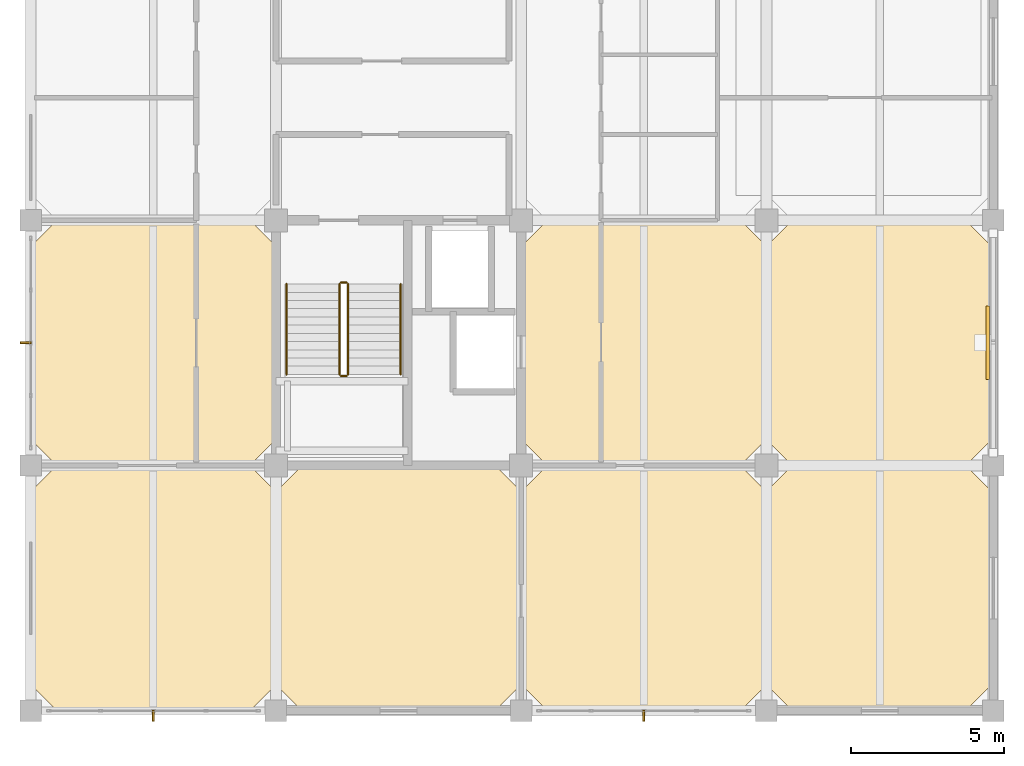
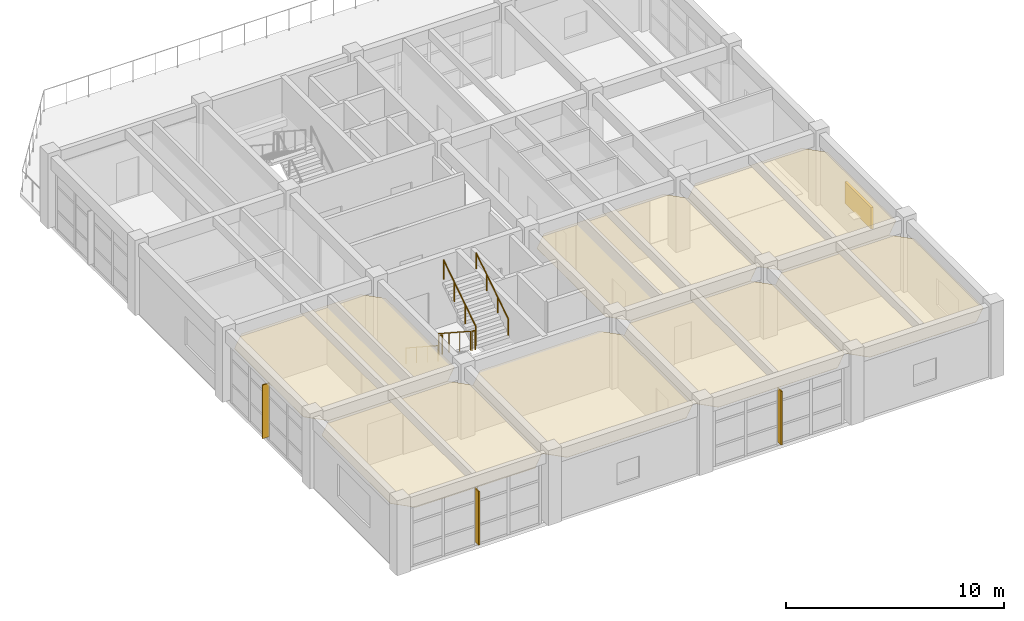
# One storey, part 17 of 19: 7 coverings, 6 railings, 4 shading devices.
"""IFC4 building model written with IfcOpenShell, lengths in metres."""

from ifc_helpers import new_model, si_unit, direction, frame, origin, origin_2d, place, context, subcontext, project, spatial, polyline, rectangle, circle, outline, extrude, material, layer, layer_set, type_object, element, save


model = new_model("IFC4")

# Units and contexts
model_context = context("Model", 3, precision=1e-05, world=origin(), true_north=direction((0.0, 1.0)))
body_context = subcontext(model_context, "Body", "Model", "MODEL_VIEW")
ifc_project = project(units=[si_unit("LENGTHUNIT", "METRE"), si_unit("AREAUNIT", "SQUARE_METRE"), si_unit("VOLUMEUNIT", "CUBIC_METRE"), si_unit("PLANEANGLEUNIT", "RADIAN"), si_unit("MASSUNIT", "GRAM", prefix="KILO")], contexts=[model_context])

# Site, building, storey
site_placement = place(None, origin())
site = spatial("IfcSite", under=ifc_project, at=site_placement, CompositionType="ELEMENT")
building_placement = place(site_placement, origin())
building = spatial("IfcBuilding", under=site, at=building_placement, Name="Canggui Botanical Conservatory", CompositionType="ELEMENT")
storey_placement = place(building_placement, frame((0.0, 0.0, 48.60009765625)))
storey = spatial("IfcBuildingStorey", under=building, at=storey_placement, Name="L12", CompositionType="ELEMENT", Elevation=48.60009765625)

# Coverings
ifc_material_1 = material(Name="Mineral Fibre Acoustic Board")
ifc_layer_1 = layer(ifc_material_1, 0.014892578125, Name="Mineral Fibre Acoustic Board")
ifc_layer_set_1 = layer_set([ifc_layer_1], Name="Mineral Fibre Acoustic Board")
covering_type_1 = type_object("IfcCoveringType", Name="COV-CEIL-15", PredefinedType="CEILING", material=ifc_layer_set_1)
covering_1_placement = place(storey_placement, frame((0.0, 0.0, 3.19482421875)))
element("IfcCovering", 1, at=covering_1_placement, inside=storey, type_object=covering_type_1, Name="Suspended Acoustic Ceiling L12-146-34", PredefinedType="CEILING", context=body_context, shape_type="SweptSolid", body=[
    extrude(outline(polyline([(146.85009765625, 34.0), (153.14990234375, 34.0), (154.0, 34.85009765625), (154.0, 41.14990234375), (153.14990234375, 42.0), (146.85009765625, 42.0), (146.0, 41.14990234375), (146.0, 34.85009765625), (146.85009765625, 34.0)])), origin(), (0.0, 0.0, 1.0), 0.01513671875),
])
covering_2_placement = place(storey_placement, frame((0.0, 0.0, 3.19482421875)))
element("IfcCovering", 2, at=covering_2_placement, inside=storey, type_object=covering_type_1, Name="Suspended Acoustic Ceiling L12-162-34", PredefinedType="CEILING", context=body_context, shape_type="SweptSolid", body=[
    extrude(outline(polyline([(162.85009765625, 34.0), (169.14990234375, 34.0), (170.0, 34.85009765625), (170.0, 41.14990234375), (169.14990234375, 42.0), (162.85009765625, 42.0), (162.0, 41.14990234375), (162.0, 34.85009765625), (162.85009765625, 34.0)])), origin(), (0.0, 0.0, 1.0), 0.01513671875),
])
covering_3_placement = place(storey_placement, frame((0.0, 0.0, 3.19482421875)))
element("IfcCovering", 3, at=covering_3_placement, inside=storey, type_object=covering_type_1, Name="Suspended Acoustic Ceiling L12-170-42", PredefinedType="CEILING", context=body_context, shape_type="SweptSolid", body=[
    extrude(outline(polyline([(170.85009765625, 42.0), (176.5, 42.0), (177.35009765625, 42.85009765625), (177.35009765625, 49.14990234375), (176.5, 50.0), (170.85009765625, 50.0), (170.0, 49.14990234375), (170.0, 42.85009765625), (170.85009765625, 42.0)])), origin(), (0.0, 0.0, 1.0), 0.01513671875),
])
ifc_material_2 = material(Name="Perforated Gypsum Acoustic Panel")
ifc_layer_2 = layer(ifc_material_2, 0.02001953125, Name="Perforated Gypsum Acoustic Panel")
ifc_layer_set_2 = layer_set([ifc_layer_2], Name="Perforated Gypsum Acoustic Panel")
covering_type_2 = type_object("IfcCoveringType", Name="COV-CEIL-20", PredefinedType="CEILING", material=ifc_layer_set_2)
covering_4_placement = place(storey_placement, frame((0.0, 0.0, 3.18994140625)))
element("IfcCovering", 4, at=covering_4_placement, inside=storey, type_object=covering_type_2, Name="Suspended Acoustic Ceiling L12-146-42", PredefinedType="CEILING", context=body_context, shape_type="SweptSolid", body=[
    extrude(outline(polyline([(146.85009765625, 42.0), (153.14990234375, 42.0), (154.0, 42.85009765625), (154.0, 49.14990234375), (153.14990234375, 50.0), (146.85009765625, 50.0), (146.0, 49.14990234375), (146.0, 42.85009765625), (146.85009765625, 42.0)])), origin(), (0.0, 0.0, 1.0), 0.02001953125),
])
covering_5_placement = place(storey_placement, frame((0.0, 0.0, 3.18994140625)))
element("IfcCovering", 5, at=covering_5_placement, inside=storey, type_object=covering_type_2, Name="Suspended Acoustic Ceiling L12-154-34", PredefinedType="CEILING", context=body_context, shape_type="SweptSolid", body=[
    extrude(outline(polyline([(154.85009765625, 34.0), (161.14990234375, 34.0), (162.0, 34.85009765625), (162.0, 41.14990234375), (161.14990234375, 42.0), (154.85009765625, 42.0), (154.0, 41.14990234375), (154.0, 34.85009765625), (154.85009765625, 34.0)])), origin(), (0.0, 0.0, 1.0), 0.02001953125),
])
covering_6_placement = place(storey_placement, frame((0.0, 0.0, 3.18994140625)))
element("IfcCovering", 6, at=covering_6_placement, inside=storey, type_object=covering_type_2, Name="Suspended Acoustic Ceiling L12-162-42", PredefinedType="CEILING", context=body_context, shape_type="SweptSolid", body=[
    extrude(outline(polyline([(162.85009765625, 42.0), (169.14990234375, 42.0), (170.0, 42.85009765625), (170.0, 49.14990234375), (169.14990234375, 50.0), (162.85009765625, 50.0), (162.0, 49.14990234375), (162.0, 42.85009765625), (162.85009765625, 42.0)])), origin(), (0.0, 0.0, 1.0), 0.02001953125),
])
covering_7_placement = place(storey_placement, frame((0.0, 0.0, 3.18994140625)))
element("IfcCovering", 7, at=covering_7_placement, inside=storey, type_object=covering_type_2, Name="Suspended Acoustic Ceiling L12-170-34", PredefinedType="CEILING", context=body_context, shape_type="SweptSolid", body=[
    extrude(outline(polyline([(170.85009765625, 34.0), (176.5, 34.0), (177.35009765625, 34.85009765625), (177.35009765625, 41.14990234375), (176.5, 42.0), (170.85009765625, 42.0), (170.0, 41.14990234375), (170.0, 34.85009765625), (170.85009765625, 34.0)])), origin(), (0.0, 0.0, 1.0), 0.02001953125),
])

# Railings
ifc_material_3 = material(Name="Stainless Steel 304", Category="steel")
railing_type_1 = type_object("IfcRailingType", Name="RAIL-GUARD-1100", PredefinedType="BALUSTRADE", material=ifc_material_3)
railing_1_placement = place(storey_placement, frame((156.070068359375, 47.919921875, 0.1748046875)))
element("IfcRailing", 8, at=railing_1_placement, inside=storey, type_object=railing_type_1, Name="L12 ST-T1 stair guard 1", PredefinedType="BALUSTRADE", context=body_context, shape_type="SweptSolid", body=[
    extrude(circle(Radius=0.02392578125, at=origin_2d()), frame((0.0, 0.0, 1.076171875), z_axis=(0.0, -0.837293178872, 0.54675417933), x_axis=(1.0, 0.0, 0.0)), (0.0, 0.0, 1.0), 3.520751953125),
    extrude(circle(Radius=0.02099609375, at=origin_2d()), origin(), (0.0, 0.0, 1.0), 1.052001953125),
    extrude(circle(Radius=0.02099609375, at=origin_2d()), frame((0.0, -0.982666015625, 0.6416015625)), (0.0, 0.0, 1.0), 1.052001953125),
    extrude(circle(Radius=0.02099609375, at=origin_2d()), frame((0.0, -1.96533203125, 1.283447265625)), (0.0, 0.0, 1.0), 1.052001953125),
    extrude(circle(Radius=0.02099609375, at=origin_2d()), frame((0.0, -2.947998046875, 1.925048828125)), (0.0, 0.0, 1.0), 1.052001953125),
])
railing_2_placement = place(storey_placement, frame((156.1201171875, 44.922119140625, 2.099853515625)))
element("IfcRailing", 9, at=railing_2_placement, inside=storey, type_object=railing_type_1, Name="L12 ST-T1 stair guard 2", PredefinedType="BALUSTRADE", context=body_context, shape_type="SweptSolid", body=[
    extrude(circle(Radius=0.02392578125, at=origin_2d()), frame((0.0, 0.0, 1.076171875), z_axis=(1.0, 0.0, 0.0), x_axis=(0.0, 1.0, 0.0)), (0.0, 0.0, 1.0), 0.179931640625),
    extrude(circle(Radius=0.02099609375, at=origin_2d()), origin(), (0.0, 0.0, 1.0), 1.052001953125),
    extrude(circle(Radius=0.02099609375, at=origin_2d()), frame((0.179931640625, 0.0, 0.0)), (0.0, 0.0, 1.0), 1.052001953125),
])
railing_3_placement = place(storey_placement, frame((156.35009765625, 44.971923828125, 2.27490234375)))
element("IfcRailing", 10, at=railing_3_placement, inside=storey, type_object=railing_type_1, Name="L12 ST-T1 stair guard 3", PredefinedType="BALUSTRADE", context=body_context, shape_type="SweptSolid", body=[
    extrude(circle(Radius=0.02392578125, at=origin_2d()), frame((0.0, 0.0, 1.076171875), z_axis=(0.0, 0.837293178872, 0.54675417933), x_axis=(-1.0, 0.0, 0.0)), (0.0, 0.0, 1.0), 3.520751953125),
    extrude(circle(Radius=0.02099609375, at=origin_2d()), origin(), (0.0, 0.0, 1.0), 1.052001953125),
    extrude(circle(Radius=0.02099609375, at=origin_2d()), frame((0.0, 0.982666015625, 0.6416015625)), (0.0, 0.0, 1.0), 1.052001953125),
    extrude(circle(Radius=0.02099609375, at=origin_2d()), frame((0.0, 1.96533203125, 1.283447265625)), (0.0, 0.0, 1.0), 1.052001953125),
    extrude(circle(Radius=0.02099609375, at=origin_2d()), frame((0.0, 2.947998046875, 1.925048828125)), (0.0, 0.0, 1.0), 1.052001953125),
])
railing_4_placement = place(storey_placement, frame((156.1201171875, 47.969970703125, 0.0)))
element("IfcRailing", 11, at=railing_4_placement, inside=storey, type_object=railing_type_1, Name="L12 ST-T1 stair guard 4", PredefinedType="BALUSTRADE", context=body_context, shape_type="SweptSolid", body=[
    extrude(circle(Radius=0.02392578125, at=origin_2d()), frame((0.0, 0.0, 1.076171875), z_axis=(1.0, 0.0, 0.0), x_axis=(0.0, 1.0, 0.0)), (0.0, 0.0, 1.0), 0.179931640625),
    extrude(circle(Radius=0.02099609375, at=origin_2d()), origin(), (0.0, 0.0, 1.0), 1.052001953125),
    extrude(circle(Radius=0.02099609375, at=origin_2d()), frame((0.179931640625, 0.0, 0.0)), (0.0, 0.0, 1.0), 1.052001953125),
])
railing_type_2 = type_object("IfcRailingType", Name="RAIL-HAND-900", PredefinedType="HANDRAIL", material=ifc_material_3)
railing_5_placement = place(storey_placement, frame((154.35009765625, 47.919921875, 0.1748046875)))
element("IfcRailing", 12, at=railing_5_placement, inside=storey, type_object=railing_type_2, Name="L12 ST-T1 stair handrail 1", PredefinedType="HANDRAIL", context=body_context, shape_type="SweptSolid", body=[
    extrude(circle(Radius=0.02392578125, at=origin_2d()), frame((0.0, 0.0, 0.8759765625), z_axis=(0.0, -0.837293178872, 0.54675417933), x_axis=(1.0, 0.0, 0.0)), (0.0, 0.0, 1.0), 3.520751953125),
    extrude(circle(Radius=0.02099609375, at=origin_2d()), origin(), (0.0, 0.0, 1.0), 0.851806640625),
    extrude(circle(Radius=0.02099609375, at=origin_2d()), frame((0.0, -0.982666015625, 0.6416015625)), (0.0, 0.0, 1.0), 0.851806640625),
    extrude(circle(Radius=0.02099609375, at=origin_2d()), frame((0.0, -1.96533203125, 1.283447265625)), (0.0, 0.0, 1.0), 0.851806640625),
    extrude(circle(Radius=0.02099609375, at=origin_2d()), frame((0.0, -2.947998046875, 1.925048828125)), (0.0, 0.0, 1.0), 0.851806640625),
])
railing_6_placement = place(storey_placement, frame((158.070068359375, 44.971923828125, 2.27490234375)))
element("IfcRailing", 13, at=railing_6_placement, inside=storey, type_object=railing_type_2, Name="L12 ST-T1 stair handrail 2", PredefinedType="HANDRAIL", context=body_context, shape_type="SweptSolid", body=[
    extrude(circle(Radius=0.02392578125, at=origin_2d()), frame((0.0, 0.0, 0.8759765625), z_axis=(0.0, 0.837293178872, 0.54675417933), x_axis=(-1.0, 0.0, 0.0)), (0.0, 0.0, 1.0), 3.520751953125),
    extrude(circle(Radius=0.02099609375, at=origin_2d()), origin(), (0.0, 0.0, 1.0), 0.851806640625),
    extrude(circle(Radius=0.02099609375, at=origin_2d()), frame((0.0, 0.982666015625, 0.6416015625)), (0.0, 0.0, 1.0), 0.851806640625),
    extrude(circle(Radius=0.02099609375, at=origin_2d()), frame((0.0, 1.96533203125, 1.283447265625)), (0.0, 0.0, 1.0), 0.851806640625),
    extrude(circle(Radius=0.02099609375, at=origin_2d()), frame((0.0, 2.947998046875, 1.925048828125)), (0.0, 0.0, 1.0), 0.851806640625),
])

# Shading devices
ifc_material_4 = material(Name="Anodised Aluminium", Category="aluminium")
shading_device_type_1 = type_object("IfcShadingDeviceType", Name="SHD-FIN02", PredefinedType="AWNING", material=ifc_material_4)
for number, where, z_axis, x_axis, name in (
    (14, (166.0, 33.8349609375, 0.199951171875), (0.0, 0.0, 1.0), (-1.0, 0.0, 0.0), "Solar Shading Fin CW-TWR-L12-02"),
    (15, (150.0, 33.8349609375, 0.199951171875), (0.0, 0.0, 1.0), (-1.0, 0.0, 0.0), "Solar Shading Fin CW-TWR-L12-04"),
    (16, (145.8349609375, 46.0, 0.199951171875), (0.0, 0.0, 1.0), (0.0, 1.0, 0.0), "Solar Shading Fin CW-TWR-L12-06"),
):
    element("IfcShadingDevice", number, at=place(storey_placement, frame(where, z_axis=z_axis, x_axis=x_axis)), inside=storey, type_object=shading_device_type_1, Name=name, PredefinedType="AWNING", context=body_context, shape_type="SweptSolid", body=[
        extrude(rectangle(XDim=0.06005859375, YDim=0.360107421875, at=origin_2d()), origin(), (0.0, 0.0, 1.0), 3.0),
    ])
shading_device_type_2 = type_object("IfcShadingDeviceType", Name="SHD-LOUV01", PredefinedType="JALOUSIE", material=ifc_material_4)
shading_device_placement = place(storey_placement, frame((177.219970703125, 46.0, 1.60009765625), z_axis=(0.0, 0.0, 1.0), x_axis=(0.0, 1.0, 0.0)))
element("IfcShadingDevice", 17, at=shading_device_placement, inside=storey, type_object=shading_device_type_2, Name="Acoustic Intake Louvre L12-14", PredefinedType="JALOUSIE", context=body_context, shape_type="SweptSolid", body=[
    extrude(rectangle(XDim=2.39990234375, YDim=0.1201171875, at=origin_2d()), origin(), (0.0, 0.0, 1.0), 1.199951171875),
])

save(model, "model.ifc")
